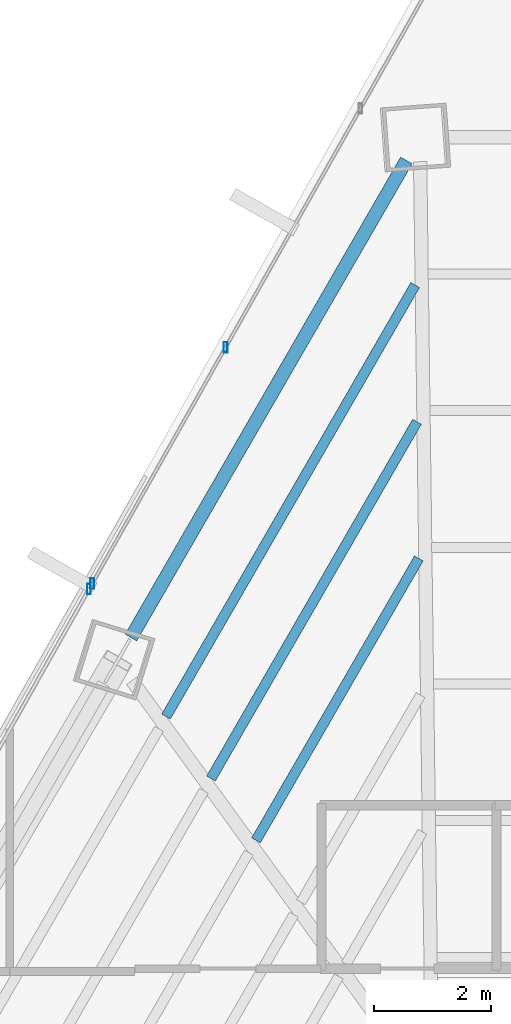
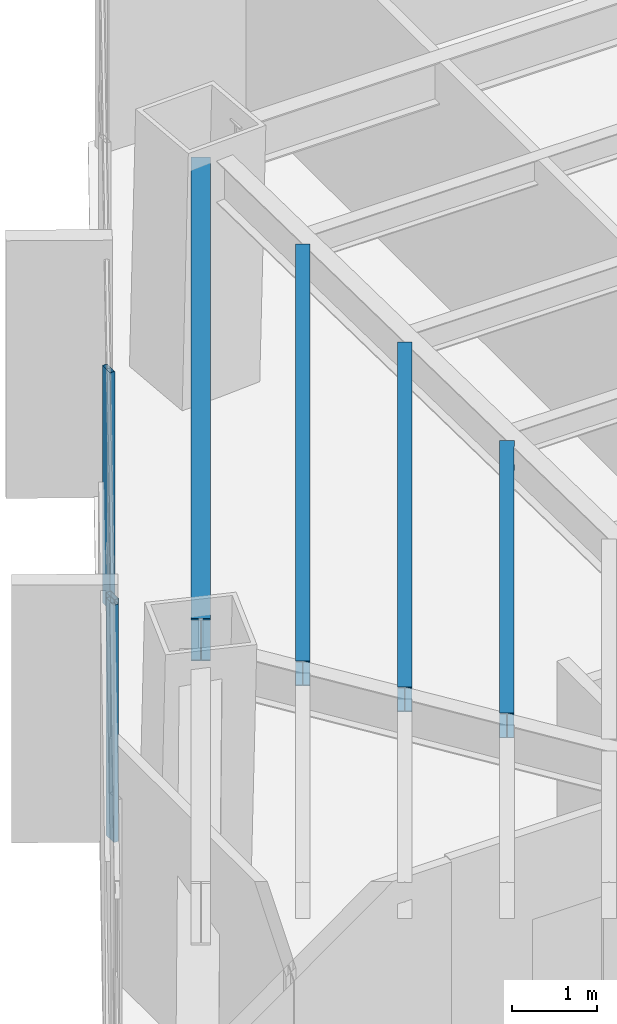
# One storey, part 23 of 35: 4 beams, 3 members, 2 elements without a shape of their own.
"""IFC4 building model written with IfcOpenShell, lengths in metres."""

from ifc_helpers import new_model, si_unit, direction, frame, origin, origin_2d, place, context, subcontext, project, spatial, hollow_rectangle, i_section, extrude, source, transform, mapped, material, material_profile, profile_set, type_object, type_shapes, element, aggregate, save


model = new_model("IFC4")

# Units and contexts
model_context = context("Model", 3, precision=1e-05, world=origin(), true_north=direction((0.0, 1.0)))
body_context = subcontext(model_context, "Body", "Model", "MODEL_VIEW")
ifc_project = project(units=[si_unit("LENGTHUNIT", "METRE"), si_unit("AREAUNIT", "SQUARE_METRE"), si_unit("VOLUMEUNIT", "CUBIC_METRE"), si_unit("PLANEANGLEUNIT", "RADIAN"), si_unit("MASSUNIT", "GRAM", prefix="KILO")], contexts=[model_context])

# Site, building, storey
site_placement = place(None, origin())
site = spatial("IfcSite", under=ifc_project, at=site_placement, CompositionType="ELEMENT")
building_placement = place(site_placement, origin())
building = spatial("IfcBuilding", under=site, at=building_placement, Name="Caelisora Broadcast Tower", CompositionType="ELEMENT")
storey_placement = place(building_placement, frame((0.0, 0.0, 90.800048828125)))
storey = spatial("IfcBuildingStorey", under=building, at=storey_placement, Name="L23", CompositionType="ELEMENT", Elevation=90.800048828125)

# Beams
ifc_material_1 = material(Name="Steel Grade 350 (AS/NZS 3679.1)", Category="steel")
ifc_material_profile_1 = material_profile(ifc_material_1, i_section(OverallWidth=0.22900390625, OverallDepth=0.611572265625, WebThickness=0.011962890625, FlangeThickness=0.01953125, at=origin_2d()), Name="Steel Grade 350 (AS/NZS 3679.1)")
ifc_profile_set_1 = profile_set([ifc_material_profile_1], Name="Steel Grade 350 (AS/NZS 3679.1)")
beam_type_1 = type_object("IfcBeamType", Name="PG03", PredefinedType="BEAM", material=ifc_profile_set_1)
shared_shape_1 = source(origin(), body_context, "Body", "SweptSolid", [
    extrude(i_section(OverallWidth=0.22900390625, OverallDepth=0.611572265625, WebThickness=0.011962890625, FlangeThickness=0.01953125, at=origin_2d()), origin(), (0.0, 0.0, 1.0), 9.43505859375),
])
type_shapes(beam_type_1, [shared_shape_1])
beam_1_placement = place(storey_placement, frame((30.055419921875, 45.9912109375, 3.09423828125), z_axis=(-0.500004680807, -0.866022701302, 0.0), x_axis=(0.866022701302, -0.500004680807, 0.0)))
element("IfcBeam", 1, at=beam_1_placement, inside=storey, type_object=beam_type_1, Name="L23 beam PG03", PredefinedType="BEAM", context=body_context, shape_type="MappedRepresentation", body=[
    mapped(shared_shape_1, transform((0.0, 0.0, 0.0), scale=1.0)),
])
ifc_material_profile_2 = material_profile(ifc_material_1, i_section(OverallWidth=0.172119140625, OverallDepth=0.358642578125, WebThickness=0.008056640625, FlangeThickness=0.012939453125, at=origin_2d()), Name="Steel Grade 350 (AS/NZS 3679.1)")
ifc_profile_set_2 = profile_set([ifc_material_profile_2], Name="Steel Grade 350 (AS/NZS 3679.1)")
beam_type_2 = type_object("IfcBeamType", Name="SB02", PredefinedType="JOIST", material=ifc_profile_set_2)
shared_shape_2 = source(origin(), body_context, "Body", "SweptSolid", [
    extrude(i_section(OverallWidth=0.172119140625, OverallDepth=0.358642578125, WebThickness=0.008056640625, FlangeThickness=0.012939453125, at=origin_2d()), origin(), (0.0, 0.0, 1.0), 5.57568359375),
])
beam_2_placement = place(storey_placement, frame((30.267333984375, 39.175048828125, 3.220703125), z_axis=(-0.500005463837, -0.866022249214, 0.0), x_axis=(0.866022249214, -0.500005463837, 0.0)))
element("IfcBeam", 2, at=beam_2_placement, inside=storey, type_object=beam_type_2, Name="L23 beam SB02", PredefinedType="JOIST", context=body_context, shape_type="MappedRepresentation", body=[
    mapped(shared_shape_2, transform((0.0, 0.0, 0.0), scale=1.0)),
])
shared_shape_3 = source(origin(), body_context, "Body", "SweptSolid", [
    extrude(i_section(OverallWidth=0.172119140625, OverallDepth=0.358642578125, WebThickness=0.008056640625, FlangeThickness=0.012939453125, at=origin_2d()), origin(), (0.0, 0.0, 1.0), 7.054931640625),
])
beam_3_placement = place(storey_placement, frame((30.23681640625, 41.516357421875, 3.220703125), z_axis=(-0.500021010326, -0.866013273127, 0.0), x_axis=(0.866013273127, -0.500021010326, 0.0)))
element("IfcBeam", 3, at=beam_3_placement, inside=storey, type_object=beam_type_2, Name="L23 beam SB02", PredefinedType="JOIST", context=body_context, shape_type="MappedRepresentation", body=[
    mapped(shared_shape_3, transform((0.0, 0.0, 0.0), scale=1.0)),
])
shared_shape_4 = source(origin(), body_context, "Body", "SweptSolid", [
    extrude(i_section(OverallWidth=0.172119140625, OverallDepth=0.358642578125, WebThickness=0.008056640625, FlangeThickness=0.012939453125, at=origin_2d()), origin(), (0.0, 0.0, 1.0), 8.5341796875),
])
type_shapes(beam_type_2, [shared_shape_2, shared_shape_3, shared_shape_4])
beam_4_placement = place(storey_placement, frame((30.2060546875, 43.85791015625, 3.220703125), z_axis=(-0.499997324523, -0.866026948466, 0.0), x_axis=(0.866026948466, -0.499997324523, 0.0)))
element("IfcBeam", 4, at=beam_4_placement, inside=storey, type_object=beam_type_2, Name="L23 beam SB02", PredefinedType="JOIST", context=body_context, shape_type="MappedRepresentation", body=[
    mapped(shared_shape_4, transform((0.0, 0.0, 0.0), scale=1.0)),
])

# Curtain wall, member
ifc_material_2 = material(Name="Unitised Aluminium Insulated Shadow-Box Spandrel Curtain Wall", Category="aluminium")
curtain_wall_type_1 = type_object("IfcCurtainWallType", Name="CW-SP1", PredefinedType="NOTDEFINED", material=ifc_material_2)
curtain_wall_1_placement = place(storey_placement, origin())
curtain_wall_1 = element("IfcCurtainWall", 5, at=curtain_wall_1_placement, inside=storey, type_object=curtain_wall_type_1, Name="L23 curtain wall CW-SP1", PredefinedType="NOTDEFINED")
ifc_material_3 = material(Name="Aluminium 6063-T6 Anodised Terracotta Bronze", Category="aluminium")
ifc_material_profile_3 = material_profile(ifc_material_3, hollow_rectangle(XDim=0.06494140625, YDim=0.179931640625, WallThickness=0.00341796875, at=origin_2d()), Name="Aluminium 6063-T6 Anodised Terracotta Bronze")
ifc_profile_set_3 = profile_set([ifc_material_profile_3], Name="Aluminium 6063-T6 Anodised Terracotta Bronze")
member_type = type_object("IfcMemberType", Name="CWM-02", PredefinedType="MULLION", material=ifc_profile_set_3)
shared_shape_5 = source(origin(), body_context, "Body", "SweptSolid", [
    extrude(hollow_rectangle(XDim=0.06494140625, YDim=0.179931640625, WallThickness=0.00341796875, at=origin_2d()), origin(), (0.0, 0.0, 1.0), 3.39990234375),
])
type_shapes(member_type, [shared_shape_5])
member_1_placement = place(storey_placement, frame((24.620361328125, 38.649658203125, 0.0), z_axis=(0.0, 0.0, 1.0), x_axis=(1.0, 0.0, 0.0)))
member_1 = element("IfcMember", 6, at=member_1_placement, type_object=member_type, Name="L23-CW-B10 mullion #3", PredefinedType="MULLION", context=body_context, shape_type="MappedRepresentation", body=[
    mapped(shared_shape_5, transform((0.0, 0.0, 0.0), scale=1.0)),
])
aggregate(curtain_wall_1, [member_1])

# Curtain wall, members
ifc_material_4 = material(Name="Unitised Aluminium and Low-E Glass Curtain Wall", Category="glass")
curtain_wall_type_2 = type_object("IfcCurtainWallType", Name="CW-Z2", PredefinedType="NOTDEFINED", material=ifc_material_4)
curtain_wall_2_placement = place(storey_placement, origin())
curtain_wall_2 = element("IfcCurtainWall", 7, at=curtain_wall_2_placement, inside=storey, type_object=curtain_wall_type_2, Name="L23 curtain wall CW-Z2", PredefinedType="NOTDEFINED")
member_2_placement = place(storey_placement, frame((24.67431640625, 38.745361328125, 0.0), z_axis=(0.0, 0.0, 1.0), x_axis=(1.0, 0.0, 0.0)))
member_2 = element("IfcMember", 8, at=member_2_placement, type_object=member_type, Name="L23-CW-B11 mullion #0", PredefinedType="MULLION", context=body_context, shape_type="MappedRepresentation", body=[
    mapped(shared_shape_5, transform((0.0, 0.0, 0.0), scale=1.0)),
])
member_3_placement = place(storey_placement, frame((26.958984375, 42.79052734375, 0.0), z_axis=(0.0, 0.0, 1.0), x_axis=(1.0, 0.0, 0.0)))
member_3 = element("IfcMember", 9, at=member_3_placement, type_object=member_type, Name="L23-CW-B11 mullion #1", PredefinedType="MULLION", context=body_context, shape_type="MappedRepresentation", body=[
    mapped(shared_shape_5, transform((0.0, 0.0, 0.0), scale=1.0)),
])
aggregate(curtain_wall_2, [member_2, member_3])

save(model, "model.ifc")
